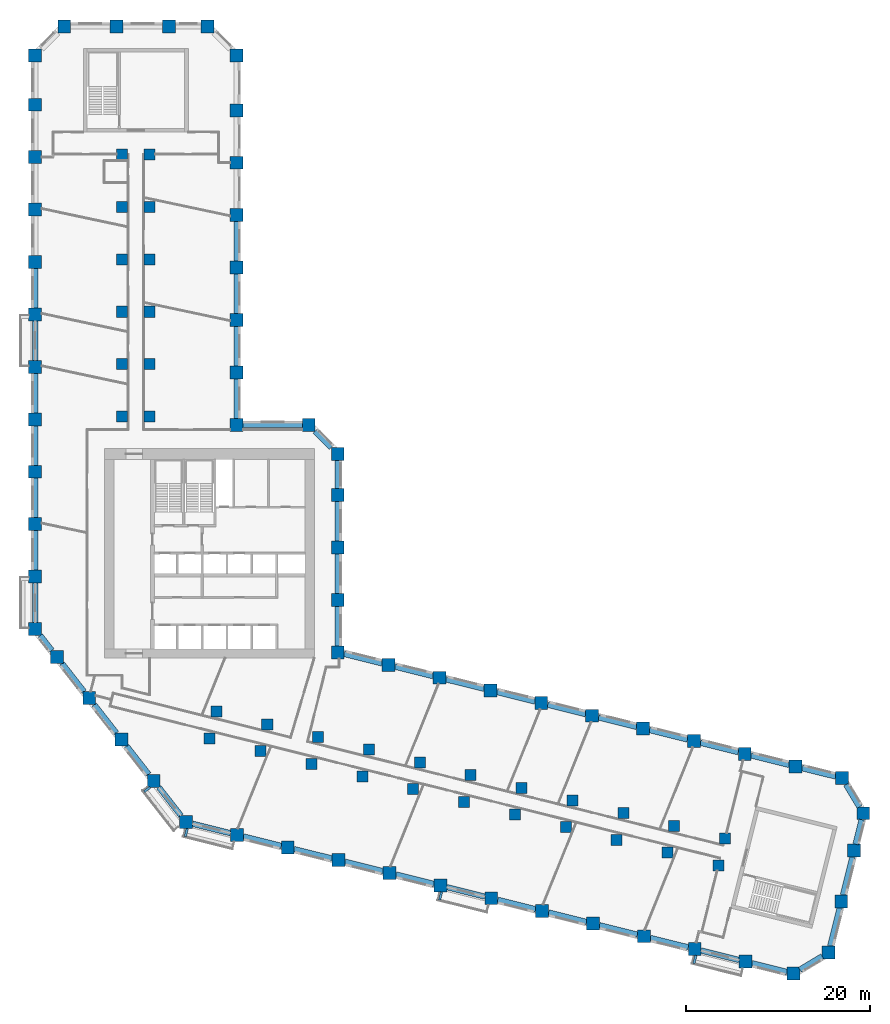
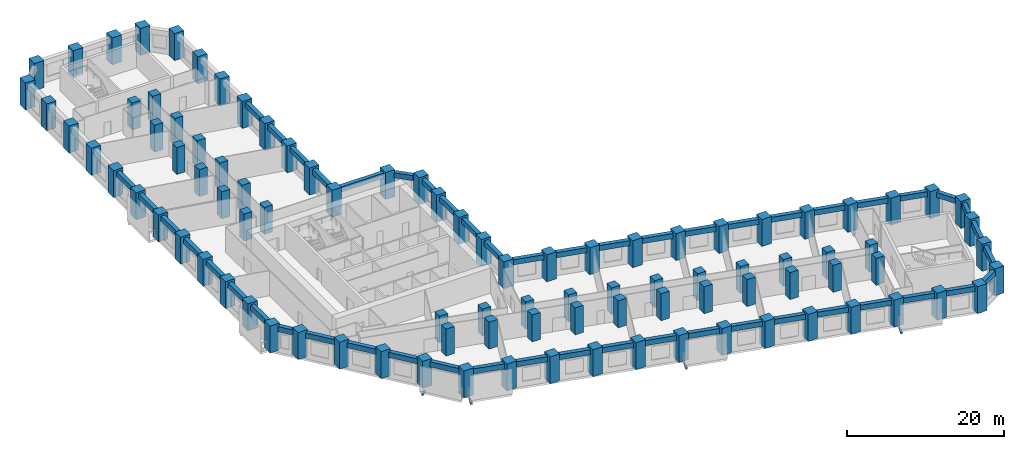
# One storey, part 1 of 11: 95 columns, 53 beams.
"""IFC4 building model written with IfcOpenShell, lengths in metres."""

from ifc_helpers import new_model, si_unit, direction, frame, origin, origin_2d, place, context, subcontext, project, spatial, rectangle, extrude, material, material_profile, profile_set, type_object, element, save


model = new_model("IFC4")

# Units and contexts
model_context = context("Model", 3, precision=1e-05, world=origin(), true_north=direction((0.0, 1.0)))
body_context = subcontext(model_context, "Body", "Model", "MODEL_VIEW")
ifc_project = project(units=[si_unit("LENGTHUNIT", "METRE"), si_unit("AREAUNIT", "SQUARE_METRE"), si_unit("VOLUMEUNIT", "CUBIC_METRE"), si_unit("PLANEANGLEUNIT", "RADIAN"), si_unit("MASSUNIT", "GRAM", prefix="KILO")], contexts=[model_context])

# Site, building, storey
site_placement = place(None, origin())
site = spatial("IfcSite", under=ifc_project, at=site_placement, CompositionType="ELEMENT")
building_placement = place(site_placement, origin())
building = spatial("IfcBuilding", under=site, at=building_placement, Name="Meshkara Civic Tower", CompositionType="ELEMENT")
storey_placement = place(building_placement, frame((0.0, 0.0, 41.39990234375)))
storey = spatial("IfcBuildingStorey", under=building, at=storey_placement, Name="L08", CompositionType="ELEMENT", Elevation=41.39990234375)

# Columns
ifc_material_1 = material(Name="Concrete C80", Category="concrete")
ifc_material_profile_1 = material_profile(ifc_material_1, rectangle(XDim=1.199951171875, YDim=1.199951171875, at=origin_2d()))
ifc_profile_set_1 = profile_set([ifc_material_profile_1], Name="Concrete C80")
column_type_1 = type_object("IfcColumnType", Name="Interior column RC 1200x1200 C80", PredefinedType="COLUMN", material=ifc_profile_set_1)
for number, where, z_axis, x_axis, name in (
    (1, (9.89990234375, 40.35009765625, 0.0), (0.0, 0.0, 1.0), (1.0, 0.0, 0.0), "Column SA1-04 L08"),
    (2, (9.89990234375, 46.050048828125, 0.0), (0.0, 0.0, 1.0), (1.0, 0.0, 0.0), "Column SA1-05 L08"),
    (3, (9.89990234375, 51.75, 0.0), (0.0, 0.0, 1.0), (1.0, 0.0, 0.0), "Column SA1-06 L08"),
    (4, (9.89990234375, 57.449951171875, 0.0), (0.0, 0.0, 1.0), (1.0, 0.0, 0.0), "Column SA1-07 L08"),
    (5, (9.89990234375, 63.14990234375, 0.0), (0.0, 0.0, 1.0), (1.0, 0.0, 0.0), "Column SA1-08 L08"),
    (6, (9.89990234375, 68.85009765625, 0.0), (0.0, 0.0, 1.0), (1.0, 0.0, 0.0), "Column SA1-09 L08"),
    (7, (12.89990234375, 40.35009765625, 0.0), (0.0, 0.0, 1.0), (1.0, 0.0, 0.0), "Column SA2-04 L08"),
    (8, (12.89990234375, 46.050048828125, 0.0), (0.0, 0.0, 1.0), (1.0, 0.0, 0.0), "Column SA2-05 L08"),
    (9, (12.89990234375, 51.75, 0.0), (0.0, 0.0, 1.0), (1.0, 0.0, 0.0), "Column SA2-06 L08"),
    (10, (12.89990234375, 57.449951171875, 0.0), (0.0, 0.0, 1.0), (1.0, 0.0, 0.0), "Column SA2-07 L08"),
    (11, (12.89990234375, 63.14990234375, 0.0), (0.0, 0.0, 1.0), (1.0, 0.0, 0.0), "Column SA2-08 L08"),
    (12, (12.89990234375, 68.85009765625, 0.0), (0.0, 0.0, 1.0), (1.0, 0.0, 0.0), "Column SA2-09 L08"),
    (13, (19.424072265625, 5.360107421875, 0.0), (0.0, 0.0, 1.0), (1.0, 0.0, 0.0), "Column SB1-00 L08"),
    (14, (24.9541015625, 3.98095703125, 0.0), (0.0, 0.0, 1.0), (1.0, 0.0, 0.0), "Column SB1-01 L08"),
    (15, (30.485107421875, 2.60205078125, 0.0), (0.0, 0.0, 1.0), (1.0, 0.0, 0.0), "Column SB1-02 L08"),
    (16, (36.01611328125, 1.222900390625, 0.0), (0.0, 0.0, 1.0), (1.0, 0.0, 0.0), "Column SB1-03 L08"),
    (17, (41.5458984375, -0.156005859375, 0.0), (0.0, 0.0, 1.0), (1.0, 0.0, 0.0), "Column SB1-04 L08"),
    (18, (47.076904296875, -1.534912109375, 0.0), (0.0, 0.0, 1.0), (1.0, 0.0, 0.0), "Column SB1-05 L08"),
    (19, (52.60791015625, -2.9140625, 0.0), (0.0, 0.0, 1.0), (1.0, 0.0, 0.0), "Column SB1-06 L08"),
    (20, (58.138916015625, -4.2919921875, 0.0), (0.0, 0.0, 1.0), (1.0, 0.0, 0.0), "Column SB1-07 L08"),
    (21, (63.6689453125, -5.6708984375, 0.0), (0.0, 0.0, 1.0), (1.0, 0.0, 0.0), "Column SB1-08 L08"),
    (22, (69.199951171875, -7.050048828125, 0.0), (0.0, 0.0, 1.0), (1.0, 0.0, 0.0), "Column SB1-09 L08"),
    (23, (74.73095703125, -8.428955078125, 0.0), (0.0, 0.0, 1.0), (1.0, 0.0, 0.0), "Column SB1-10 L08"),
    (24, (20.14892578125, 8.27099609375, 0.0), (0.0, 0.0, 1.0), (1.0, 0.0, 0.0), "Column SB2-00 L08"),
    (25, (25.679931640625, 6.89208984375, 0.0), (0.0, 0.0, 1.0), (1.0, 0.0, 0.0), "Column SB2-01 L08"),
    (26, (31.2109375, 5.512939453125, 0.0), (0.0, 0.0, 1.0), (1.0, 0.0, 0.0), "Column SB2-02 L08"),
    (27, (36.741943359375, 4.134033203125, 0.0), (0.0, 0.0, 1.0), (1.0, 0.0, 0.0), "Column SB2-03 L08"),
    (28, (42.27197265625, 2.7548828125, 0.0), (0.0, 0.0, 1.0), (1.0, 0.0, 0.0), "Column SB2-04 L08"),
    (29, (47.802978515625, 1.3759765625, 0.0), (0.0, 0.0, 1.0), (1.0, 0.0, 0.0), "Column SB2-05 L08"),
    (30, (53.333984375, -0.0029296875, 0.0), (0.0, 0.0, 1.0), (1.0, 0.0, 0.0), "Column SB2-06 L08"),
    (31, (58.864013671875, -1.382080078125, 0.0), (0.0, 0.0, 1.0), (1.0, 0.0, 0.0), "Column SB2-07 L08"),
    (32, (64.39501953125, -2.760986328125, 0.0), (0.0, 0.0, 1.0), (1.0, 0.0, 0.0), "Column SB2-08 L08"),
    (33, (69.926025390625, -4.139892578125, 0.0), (0.0, 0.0, 1.0), (1.0, 0.0, 0.0), "Column SB2-09 L08"),
    (34, (75.4560546875, -5.51806640625, 0.0), (0.0, 0.0, 1.0), (1.0, 0.0, 0.0), "Column SB2-10 L08"),
):
    element("IfcColumn", number, at=place(storey_placement, frame(where, z_axis=z_axis, x_axis=x_axis)), inside=storey, type_object=column_type_1, Name=name, PredefinedType="COLUMN", context=body_context, shape_type="SweptSolid", body=[
        extrude(rectangle(XDim=1.199951171875, YDim=1.199951171875, at=origin_2d()), origin(), (0.0, 0.0, 1.0), 4.2001953125),
    ])
ifc_material_2 = material(Name="Concrete C80", Category="concrete")
ifc_material_profile_2 = material_profile(ifc_material_2, rectangle(XDim=1.39990234375, YDim=1.39990234375, at=origin_2d()))
ifc_profile_set_2 = profile_set([ifc_material_profile_2], Name="Concrete C80")
column_type_2 = type_object("IfcColumnType", Name="Perimeter column RC 1400x1400 C80", PredefinedType="COLUMN", material=ifc_profile_set_2)
for number, where, z_axis, x_axis, name in (
    (35, (33.35009765625, 14.718994140625, 0.0), (0.0, 0.0, 1.0), (1.0, 0.0, 0.0), "Column HE00 L08"),
    (36, (33.35009765625, 20.4189453125, 0.0), (0.0, 0.0, 1.0), (1.0, 0.0, 0.0), "Column HE01 L08"),
    (37, (33.35009765625, 26.118896484375, 0.0), (0.0, 0.0, 1.0), (1.0, 0.0, 0.0), "Column HE02 L08"),
    (38, (33.35009765625, 31.819091796875, 0.0), (0.0, 0.0, 1.0), (1.0, 0.0, 0.0), "Column HE03 L08"),
    (39, (33.35009765625, 36.2939453125, 0.0), (0.0, 0.0, 1.0), (1.0, 0.0, 0.0), "Column HEE L08"),
    (40, (30.194091796875, 39.449951171875, 0.0), (0.0, 0.0, 1.0), (1.0, 0.0, 0.0), "Column HCeE L08"),
    (41, (22.35009765625, 39.449951171875, 0.0), (0.0, 0.0, 1.0), (1.0, 0.0, 0.0), "Column HN00 L08"),
    (42, (22.35009765625, 45.14990234375, 0.0), (0.0, 0.0, 1.0), (1.0, 0.0, 0.0), "Column AE01 L08"),
    (43, (22.35009765625, 50.85009765625, 0.0), (0.0, 0.0, 1.0), (1.0, 0.0, 0.0), "Column AE02 L08"),
    (44, (22.35009765625, 56.550048828125, 0.0), (0.0, 0.0, 1.0), (1.0, 0.0, 0.0), "Column AE03 L08"),
    (45, (22.35009765625, 62.25, 0.0), (0.0, 0.0, 1.0), (1.0, 0.0, 0.0), "Column AE04 L08"),
    (46, (22.35009765625, 67.949951171875, 0.0), (0.0, 0.0, 1.0), (1.0, 0.0, 0.0), "Column AE05 L08"),
    (47, (22.35009765625, 73.64990234375, 0.0), (0.0, 0.0, 1.0), (1.0, 0.0, 0.0), "Column AE06 L08"),
    (48, (22.35009765625, 79.614013671875, 0.0), (0.0, 0.0, 1.0), (1.0, 0.0, 0.0), "Column AEE L08"),
    (49, (19.194091796875, 82.77001953125, 0.0), (0.0, 0.0, 1.0), (1.0, 0.0, 0.0), "Column ATiE L08"),
    (50, (3.60595703125, 82.77001953125, 0.0), (0.0, 0.0, 1.0), (1.0, 0.0, 0.0), "Column AT00 L08"),
    (51, (9.305908203125, 82.77001953125, 0.0), (0.0, 0.0, 1.0), (1.0, 0.0, 0.0), "Column AT01 L08"),
    (52, (15.006103515625, 82.77001953125, 0.0), (0.0, 0.0, 1.0), (1.0, 0.0, 0.0), "Column AT02 L08"),
    (53, (0.449951171875, 79.614013671875, 0.0), (0.0, 0.0, 1.0), (1.0, 0.0, 0.0), "Column ATo00 L08"),
    (54, (0.449951171875, 17.2548828125, 0.0), (0.0, 0.0, 1.0), (1.0, 0.0, 0.0), "Column AW00 L08"),
    (55, (0.449951171875, 22.955078125, 0.0), (0.0, 0.0, 1.0), (1.0, 0.0, 0.0), "Column AW01 L08"),
    (56, (0.449951171875, 28.655029296875, 0.0), (0.0, 0.0, 1.0), (1.0, 0.0, 0.0), "Column AW02 L08"),
    (57, (0.449951171875, 34.35498046875, 0.0), (0.0, 0.0, 1.0), (1.0, 0.0, 0.0), "Column AW03 L08"),
    (58, (0.449951171875, 40.054931640625, 0.0), (0.0, 0.0, 1.0), (1.0, 0.0, 0.0), "Column AW04 L08"),
    (59, (0.449951171875, 45.7548828125, 0.0), (0.0, 0.0, 1.0), (1.0, 0.0, 0.0), "Column AW05 L08"),
    (60, (0.449951171875, 51.455078125, 0.0), (0.0, 0.0, 1.0), (1.0, 0.0, 0.0), "Column AW06 L08"),
    (61, (0.449951171875, 57.155029296875, 0.0), (0.0, 0.0, 1.0), (1.0, 0.0, 0.0), "Column AW07 L08"),
    (62, (0.449951171875, 62.85498046875, 0.0), (0.0, 0.0, 1.0), (1.0, 0.0, 0.0), "Column AW08 L08"),
    (63, (0.449951171875, 68.554931640625, 0.0), (0.0, 0.0, 1.0), (1.0, 0.0, 0.0), "Column AW09 L08"),
    (64, (0.449951171875, 74.2548828125, 0.0), (0.0, 0.0, 1.0), (1.0, 0.0, 0.0), "Column AW10 L08"),
    (65, (16.85107421875, -3.738037109375, 0.0), (0.0, 0.0, 1.0), (1.0, 0.0, 0.0), "Column BOW00 L08"),
    (66, (13.342041015625, 0.75390625, 0.0), (0.0, 0.0, 1.0), (1.0, 0.0, 0.0), "Column BOW01 L08"),
    (67, (9.8330078125, 5.2451171875, 0.0), (0.0, 0.0, 1.0), (1.0, 0.0, 0.0), "Column BOW02 L08"),
    (68, (6.322998046875, 9.737060546875, 0.0), (0.0, 0.0, 1.0), (1.0, 0.0, 0.0), "Column BOW03 L08"),
    (69, (2.81396484375, 14.22900390625, 0.0), (0.0, 0.0, 1.0), (1.0, 0.0, 0.0), "Column BOW04 L08"),
    (70, (22.382080078125, -5.116943359375, 0.0), (0.0, 0.0, 1.0), (1.0, 0.0, 0.0), "Column BS01 L08"),
    (71, (27.912109375, -6.49609375, 0.0), (0.0, 0.0, 1.0), (1.0, 0.0, 0.0), "Column BS02 L08"),
    (72, (33.443115234375, -7.875, 0.0), (0.0, 0.0, 1.0), (1.0, 0.0, 0.0), "Column BS03 L08"),
    (73, (38.97412109375, -9.25390625, 0.0), (0.0, 0.0, 1.0), (1.0, 0.0, 0.0), "Column BS04 L08"),
    (74, (44.5048828125, -10.632080078125, 0.0), (0.0, 0.0, 1.0), (1.0, 0.0, 0.0), "Column BS05 L08"),
    (75, (50.034912109375, -12.010986328125, 0.0), (0.0, 0.0, 1.0), (1.0, 0.0, 0.0), "Column BS06 L08"),
    (76, (55.56591796875, -13.389892578125, 0.0), (0.0, 0.0, 1.0), (1.0, 0.0, 0.0), "Column BS07 L08"),
    (77, (61.096923828125, -14.76904296875, 0.0), (0.0, 0.0, 1.0), (1.0, 0.0, 0.0), "Column BS08 L08"),
    (78, (66.626953125, -16.14794921875, 0.0), (0.0, 0.0, 1.0), (1.0, 0.0, 0.0), "Column BS09 L08"),
    (79, (72.157958984375, -17.527099609375, 0.0), (0.0, 0.0, 1.0), (1.0, 0.0, 0.0), "Column BS10 L08"),
    (80, (77.68896484375, -18.906005859375, 0.0), (0.0, 0.0, 1.0), (1.0, 0.0, 0.0), "Column BS11 L08"),
    (81, (82.887939453125, -20.201904296875, 0.0), (0.0, 0.0, 1.0), (1.0, 0.0, 0.0), "Column BSE L08"),
    (82, (86.714111328125, -17.903076171875, 0.0), (0.0, 0.0, 1.0), (1.0, 0.0, 0.0), "Column BToE L08"),
    (83, (88.093017578125, -12.3720703125, 0.0), (0.0, 0.0, 1.0), (1.0, 0.0, 0.0), "Column BT01 L08"),
    (84, (89.471923828125, -6.842041015625, 0.0), (0.0, 0.0, 1.0), (1.0, 0.0, 0.0), "Column BT02 L08"),
    (85, (90.485107421875, -2.779052734375, 0.0), (0.0, 0.0, 1.0), (1.0, 0.0, 0.0), "Column BTE L08"),
    (86, (88.18603515625, 1.0458984375, 0.0), (0.0, 0.0, 1.0), (1.0, 0.0, 0.0), "Column BTi00 L08"),
    (87, (38.881103515625, 13.340087890625, 0.0), (0.0, 0.0, 1.0), (1.0, 0.0, 0.0), "Column BN01 L08"),
    (88, (44.410888671875, 11.9609375, 0.0), (0.0, 0.0, 1.0), (1.0, 0.0, 0.0), "Column BN02 L08"),
    (89, (49.94189453125, 10.58203125, 0.0), (0.0, 0.0, 1.0), (1.0, 0.0, 0.0), "Column BN03 L08"),
    (90, (55.472900390625, 9.202880859375, 0.0), (0.0, 0.0, 1.0), (1.0, 0.0, 0.0), "Column BN04 L08"),
    (91, (61.0029296875, 7.823974609375, 0.0), (0.0, 0.0, 1.0), (1.0, 0.0, 0.0), "Column BN05 L08"),
    (92, (66.533935546875, 6.445068359375, 0.0), (0.0, 0.0, 1.0), (1.0, 0.0, 0.0), "Column BN06 L08"),
    (93, (72.06494140625, 5.06591796875, 0.0), (0.0, 0.0, 1.0), (1.0, 0.0, 0.0), "Column BN07 L08"),
    (94, (77.594970703125, 3.68701171875, 0.0), (0.0, 0.0, 1.0), (1.0, 0.0, 0.0), "Column BN08 L08"),
    (95, (83.1259765625, 2.30810546875, 0.0), (0.0, 0.0, 1.0), (1.0, 0.0, 0.0), "Column BN09 L08"),
):
    element("IfcColumn", number, at=place(storey_placement, frame(where, z_axis=z_axis, x_axis=x_axis)), inside=storey, type_object=column_type_2, Name=name, PredefinedType="COLUMN", context=body_context, shape_type="SweptSolid", body=[
        extrude(rectangle(XDim=1.39990234375, YDim=1.39990234375, at=origin_2d()), origin(), (0.0, 0.0, 1.0), 4.2001953125),
    ])

# Beams
ifc_material_3 = material(Name="Concrete C50", Category="concrete")
ifc_material_profile_3 = material_profile(ifc_material_3, rectangle(XDim=0.25, YDim=0.39990234375, at=origin_2d()))
ifc_profile_set_3 = profile_set([ifc_material_profile_3], Name="Concrete C50")
beam_type_1 = type_object("IfcBeamType", Name="Balcony bracket beam RC 250x400 C50", PredefinedType="BEAM", material=ifc_profile_set_3)
beam_1_placement = place(storey_placement, frame((12.93701171875, 0.056884765625, -0.5), z_axis=(-0.787973614547, -0.615709008199, 0.0), x_axis=(0.615709008199, -0.787973614547, 0.0)))
element("IfcBeam", 96, at=beam_1_placement, inside=storey, type_object=beam_type_1, Name="Balcony bracket beam", PredefinedType="BEAM", context=body_context, shape_type="SweptSolid", body=[
    extrude(rectangle(XDim=0.25, YDim=0.39990234375, at=origin_2d()), origin(), (0.0, 0.0, 1.0), 0.80224609375),
])
beam_2_placement = place(storey_placement, frame((16.987060546875, -4.43310546875, -0.5), z_axis=(-0.242282530638, -0.97020573867, 0.0), x_axis=(0.97020573867, -0.242282530638, 0.0)))
element("IfcBeam", 97, at=beam_2_placement, inside=storey, type_object=beam_type_1, Name="Balcony bracket beam", PredefinedType="BEAM", context=body_context, shape_type="SweptSolid", body=[
    extrude(rectangle(XDim=0.25, YDim=0.39990234375, at=origin_2d()), origin(), (0.0, 0.0, 1.0), 0.907958984375),
])
for number, where, z_axis, x_axis, name in (
    (98, (44.64111328125, -11.326904296875, -0.5), (-0.24221968719, -0.970221429952, 0.0), (0.970221429952, -0.24221968719, 0.0), "Balcony bracket beam"),
    (99, (72.2939453125, -18.221923828125, -0.5), (-0.241966881417, -0.970284508944, 0.0), (0.970284508944, -0.241966881417, 0.0), "Balcony bracket beam"),
):
    element("IfcBeam", number, at=place(storey_placement, frame(where, z_axis=z_axis, x_axis=x_axis)), inside=storey, type_object=beam_type_1, Name=name, PredefinedType="BEAM", context=body_context, shape_type="SweptSolid", body=[
        extrude(rectangle(XDim=0.25, YDim=0.39990234375, at=origin_2d()), origin(), (0.0, 0.0, 1.0), 0.9091796875),
    ])
ifc_material_4 = material(Name="Concrete C70", Category="concrete")
ifc_material_profile_4 = material_profile(ifc_material_4, rectangle(XDim=0.60009765625, YDim=0.800048828125, at=origin_2d()))
ifc_profile_set_4 = profile_set([ifc_material_profile_4], Name="Concrete C70")
beam_type_2 = type_object("IfcBeamType", Name="Spandrel beam RC 600x800 C70", PredefinedType="BEAM", material=ifc_profile_set_4)
beam_3_placement = place(storey_placement, frame((82.430908203125, 2.481201171875, 3.5), z_axis=(-0.97029374225, 0.241929852955, 0.0), x_axis=(-0.241929852955, -0.97029374225, 0.0)))
element("IfcBeam", 100, at=beam_3_placement, inside=storey, type_object=beam_type_2, Name="Spandrel beam BN08-BN09", PredefinedType="BEAM", context=body_context, shape_type="SweptSolid", body=[
    extrude(rectangle(XDim=0.60009765625, YDim=0.800048828125, at=origin_2d()), origin(), (0.0, 0.0, 1.0), 4.267578125),
])
beam_4_placement = place(storey_placement, frame((76.89990234375, 3.8603515625, 3.5), z_axis=(-0.970293777887, 0.241929710026, 0.0), x_axis=(-0.241929710026, -0.970293777887, 0.0)))
element("IfcBeam", 101, at=beam_4_placement, inside=storey, type_object=beam_type_2, Name="Spandrel beam BN07-BN08", PredefinedType="BEAM", context=body_context, shape_type="SweptSolid", body=[
    extrude(rectangle(XDim=0.60009765625, YDim=0.800048828125, at=origin_2d()), origin(), (0.0, 0.0, 1.0), 4.2666015625),
])
for number, where, z_axis, x_axis, name in (
    (102, (71.369873046875, 5.2392578125, 3.5), (-0.97029374225, 0.241929852955, 0.0), (-0.241929852955, -0.97029374225, 0.0), "Spandrel beam BN06-BN07"),
    (103, (65.8388671875, 6.618408203125, 3.5), (-0.970307169965, 0.241875992843, 0.0), (-0.241875992843, -0.970307169965, 0.0), "Spandrel beam BN05-BN06"),
):
    element("IfcBeam", number, at=place(storey_placement, frame(where, z_axis=z_axis, x_axis=x_axis)), inside=storey, type_object=beam_type_2, Name=name, PredefinedType="BEAM", context=body_context, shape_type="SweptSolid", body=[
        extrude(rectangle(XDim=0.60009765625, YDim=0.800048828125, at=origin_2d()), origin(), (0.0, 0.0, 1.0), 4.267578125),
    ])
beam_5_placement = place(storey_placement, frame((60.307861328125, 7.997314453125, 3.5), z_axis=(-0.970276993533, 0.241997016139, 0.0), x_axis=(-0.241997016139, -0.970276993533, 0.0)))
element("IfcBeam", 104, at=beam_5_placement, inside=storey, type_object=beam_type_2, Name="Spandrel beam BN04-BN05", PredefinedType="BEAM", context=body_context, shape_type="SweptSolid", body=[
    extrude(rectangle(XDim=0.60009765625, YDim=0.800048828125, at=origin_2d()), origin(), (0.0, 0.0, 1.0), 4.266357421875),
])
for number, where, z_axis, x_axis, name in (
    (105, (54.77783203125, 9.376220703125, 3.5), (-0.970290393622, 0.241943282702, 0.0), (-0.241943282702, -0.970290393622, 0.0), "Spandrel beam BN03-BN04"),
    (106, (49.246826171875, 10.75537109375, 3.5), (-0.970303822782, 0.241889419972, 0.0), (-0.241889419972, -0.970303822782, 0.0), "Spandrel beam BN02-BN03"),
):
    element("IfcBeam", number, at=place(storey_placement, frame(where, z_axis=z_axis, x_axis=x_axis)), inside=storey, type_object=beam_type_2, Name=name, PredefinedType="BEAM", context=body_context, shape_type="SweptSolid", body=[
        extrude(rectangle(XDim=0.60009765625, YDim=0.800048828125, at=origin_2d()), origin(), (0.0, 0.0, 1.0), 4.267333984375),
    ])
beam_6_placement = place(storey_placement, frame((43.7158203125, 12.13427734375, 3.5), z_axis=(-0.970276993533, 0.241997016139, 0.0), x_axis=(-0.241997016139, -0.970276993533, 0.0)))
element("IfcBeam", 107, at=beam_6_placement, inside=storey, type_object=beam_type_2, Name="Spandrel beam BN01-BN02", PredefinedType="BEAM", context=body_context, shape_type="SweptSolid", body=[
    extrude(rectangle(XDim=0.60009765625, YDim=0.800048828125, at=origin_2d()), origin(), (0.0, 0.0, 1.0), 4.266357421875),
])
beam_7_placement = place(storey_placement, frame((38.185791015625, 13.51318359375, 3.5), z_axis=(-0.970290393622, 0.241943282702, 0.0), x_axis=(-0.241943282702, -0.970290393622, 0.0)))
element("IfcBeam", 108, at=beam_7_placement, inside=storey, type_object=beam_type_2, Name="Spandrel beam BN01-HE00", PredefinedType="BEAM", context=body_context, shape_type="SweptSolid", body=[
    extrude(rectangle(XDim=0.60009765625, YDim=0.800048828125, at=origin_2d()), origin(), (0.0, 0.0, 1.0), 4.267333984375),
])
for number, where, z_axis, x_axis, name in (
    (109, (33.35009765625, 15.4140625, 3.5), (0.0, 1.0, 0.0), (-1.0, 0.0, 0.0), "Spandrel beam HE00-HE01"),
    (110, (33.35009765625, 21.114013671875, 3.5), (0.0, 1.0, 0.0), (-1.0, 0.0, 0.0), "Spandrel beam HE01-HE02"),
    (111, (33.35009765625, 26.81396484375, 3.5), (0.0, 1.0, 0.0), (-1.0, 0.0, 0.0), "Spandrel beam HE02-HE03"),
):
    element("IfcBeam", number, at=place(storey_placement, frame(where, z_axis=z_axis, x_axis=x_axis)), inside=storey, type_object=beam_type_2, Name=name, PredefinedType="BEAM", context=body_context, shape_type="SweptSolid", body=[
        extrude(rectangle(XDim=0.60009765625, YDim=0.800048828125, at=origin_2d()), origin(), (0.0, 0.0, 1.0), 4.31005859375),
    ])
beam_8_placement = place(storey_placement, frame((33.35009765625, 32.513916015625, 3.5), z_axis=(0.0, 1.0, 0.0), x_axis=(-1.0, 0.0, 0.0)))
element("IfcBeam", 112, at=beam_8_placement, inside=storey, type_object=beam_type_2, Name="Spandrel beam HE03-HEE", PredefinedType="BEAM", context=body_context, shape_type="SweptSolid", body=[
    extrude(rectangle(XDim=0.60009765625, YDim=0.800048828125, at=origin_2d()), origin(), (0.0, 0.0, 1.0), 3.085205078125),
])
beam_9_placement = place(storey_placement, frame((32.653564453125, 36.990478515625, 3.5), z_axis=(-0.707155737934, 0.70705782105, 0.0), x_axis=(-0.70705782105, -0.707155737934, 0.0)))
element("IfcBeam", 113, at=beam_9_placement, inside=storey, type_object=beam_type_2, Name="Spandrel beam HCeE-HEE", PredefinedType="BEAM", context=body_context, shape_type="SweptSolid", body=[
    extrude(rectangle(XDim=0.60009765625, YDim=0.800048828125, at=origin_2d()), origin(), (0.0, 0.0, 1.0), 2.493408203125),
])
beam_10_placement = place(storey_placement, frame((29.4990234375, 39.449951171875, 3.5), z_axis=(-1.0, 0.0, 0.0), x_axis=(0.0, -1.0, 0.0)))
element("IfcBeam", 114, at=beam_10_placement, inside=storey, type_object=beam_type_2, Name="Spandrel beam HCeE-HN00", PredefinedType="BEAM", context=body_context, shape_type="SweptSolid", body=[
    extrude(rectangle(XDim=0.60009765625, YDim=0.800048828125, at=origin_2d()), origin(), (0.0, 0.0, 1.0), 6.4541015625),
])
for number, where, z_axis, x_axis, name in (
    (115, (22.35009765625, 40.14501953125, 3.5), (0.0, 1.0, 0.0), (-1.0, 0.0, 0.0), "Spandrel beam AE01-HN00"),
    (116, (22.35009765625, 45.844970703125, 3.5), (0.0, 1.0, 0.0), (-1.0, 0.0, 0.0), "Spandrel beam AE01-AE02"),
    (117, (22.35009765625, 51.544921875, 3.5), (0.0, 1.0, 0.0), (-1.0, 0.0, 0.0), "Spandrel beam AE02-AE03"),
):
    element("IfcBeam", number, at=place(storey_placement, frame(where, z_axis=z_axis, x_axis=x_axis)), inside=storey, type_object=beam_type_2, Name=name, PredefinedType="BEAM", context=body_context, shape_type="SweptSolid", body=[
        extrude(rectangle(XDim=0.60009765625, YDim=0.800048828125, at=origin_2d()), origin(), (0.0, 0.0, 1.0), 4.31005859375),
    ])
beam_11_placement = place(storey_placement, frame((22.35009765625, 57.2451171875, 3.5), z_axis=(0.0, 1.0, 0.0), x_axis=(-1.0, 0.0, 0.0)))
element("IfcBeam", 118, at=beam_11_placement, inside=storey, type_object=beam_type_2, Name="Spandrel beam AE03-AE04", PredefinedType="BEAM", context=body_context, shape_type="SweptSolid", body=[
    extrude(rectangle(XDim=0.60009765625, YDim=0.800048828125, at=origin_2d()), origin(), (0.0, 0.0, 1.0), 4.309814453125),
])
for number, where, z_axis, x_axis, name in (
    (119, (0.449951171875, 56.4599609375, 3.5), (0.0, -1.0, 0.0), (1.0, 0.0, 0.0), "Spandrel beam AW06-AW07"),
    (120, (0.449951171875, 50.760009765625, 3.5), (0.0, -1.0, 0.0), (1.0, 0.0, 0.0), "Spandrel beam AW05-AW06"),
    (121, (0.449951171875, 45.06005859375, 3.5), (0.0, -1.0, 0.0), (1.0, 0.0, 0.0), "Spandrel beam AW04-AW05"),
    (122, (0.449951171875, 39.360107421875, 3.5), (0.0, -1.0, 0.0), (1.0, 0.0, 0.0), "Spandrel beam AW03-AW04"),
):
    element("IfcBeam", number, at=place(storey_placement, frame(where, z_axis=z_axis, x_axis=x_axis)), inside=storey, type_object=beam_type_2, Name=name, PredefinedType="BEAM", context=body_context, shape_type="SweptSolid", body=[
        extrude(rectangle(XDim=0.60009765625, YDim=0.800048828125, at=origin_2d()), origin(), (0.0, 0.0, 1.0), 4.31005859375),
    ])
beam_12_placement = place(storey_placement, frame((0.449951171875, 33.659912109375, 3.5), z_axis=(0.0, -1.0, 0.0), x_axis=(1.0, 0.0, 0.0)))
element("IfcBeam", 123, at=beam_12_placement, inside=storey, type_object=beam_type_2, Name="Spandrel beam AW02-AW03", PredefinedType="BEAM", context=body_context, shape_type="SweptSolid", body=[
    extrude(rectangle(XDim=0.60009765625, YDim=0.800048828125, at=origin_2d()), origin(), (0.0, 0.0, 1.0), 4.309814453125),
])
for number, where, z_axis, x_axis, name in (
    (124, (0.449951171875, 27.9599609375, 3.5), (0.0, -1.0, 0.0), (1.0, 0.0, 0.0), "Spandrel beam AW01-AW02"),
    (125, (0.449951171875, 22.260009765625, 3.5), (0.0, -1.0, 0.0), (1.0, 0.0, 0.0), "Spandrel beam AW00-AW01"),
):
    element("IfcBeam", number, at=place(storey_placement, frame(where, z_axis=z_axis, x_axis=x_axis)), inside=storey, type_object=beam_type_2, Name=name, PredefinedType="BEAM", context=body_context, shape_type="SweptSolid", body=[
        extrude(rectangle(XDim=0.60009765625, YDim=0.800048828125, at=origin_2d()), origin(), (0.0, 0.0, 1.0), 4.31005859375),
    ])
beam_13_placement = place(storey_placement, frame((0.993896484375, 16.558837890625, 3.5), z_axis=(0.615634901283, -0.788031514803, 0.0), x_axis=(0.788031514803, 0.615634901283, 0.0)))
element("IfcBeam", 126, at=beam_13_placement, inside=storey, type_object=beam_type_2, Name="Spandrel beam AW00-BOW04", PredefinedType="BEAM", context=body_context, shape_type="SweptSolid", body=[
    extrude(rectangle(XDim=0.60009765625, YDim=0.800048828125, at=origin_2d()), origin(), (0.0, 0.0, 1.0), 2.0732421875),
])
beam_14_placement = place(storey_placement, frame((3.357666015625, 13.532958984375, 3.5), z_axis=(0.615623566685, -0.788040369614, 0.0), x_axis=(0.788040369614, 0.615623566685, 0.0)))
element("IfcBeam", 127, at=beam_14_placement, inside=storey, type_object=beam_type_2, Name="Spandrel beam BOW03-BOW04", PredefinedType="BEAM", context=body_context, shape_type="SweptSolid", body=[
    extrude(rectangle(XDim=0.60009765625, YDim=0.800048828125, at=origin_2d()), origin(), (0.0, 0.0, 1.0), 3.93359375),
])
beam_15_placement = place(storey_placement, frame((6.866943359375, 9.041015625, 3.5), z_axis=(0.61570064363, -0.787980150406, 0.0), x_axis=(0.787980150406, 0.61570064363, 0.0)))
element("IfcBeam", 128, at=beam_15_placement, inside=storey, type_object=beam_type_2, Name="Spandrel beam BOW02-BOW03", PredefinedType="BEAM", context=body_context, shape_type="SweptSolid", body=[
    extrude(rectangle(XDim=0.60009765625, YDim=0.800048828125, at=origin_2d()), origin(), (0.0, 0.0, 1.0), 3.933837890625),
])
beam_16_placement = place(storey_placement, frame((10.376953125, 4.548828125, 3.5), z_axis=(0.615697051917, -0.787982956834, 0.0), x_axis=(0.787982956834, 0.615697051917, 0.0)))
element("IfcBeam", 129, at=beam_16_placement, inside=storey, type_object=beam_type_2, Name="Spandrel beam BOW01-BOW02", PredefinedType="BEAM", context=body_context, shape_type="SweptSolid", body=[
    extrude(rectangle(XDim=0.60009765625, YDim=0.800048828125, at=origin_2d()), origin(), (0.0, 0.0, 1.0), 3.932373046875),
])
beam_17_placement = place(storey_placement, frame((13.8857421875, 0.057861328125, 3.5), z_axis=(0.615623566685, -0.788040369614, 0.0), x_axis=(0.788040369614, 0.615623566685, 0.0)))
element("IfcBeam", 130, at=beam_17_placement, inside=storey, type_object=beam_type_2, Name="Spandrel beam BOW00-BOW01", PredefinedType="BEAM", context=body_context, shape_type="SweptSolid", body=[
    extrude(rectangle(XDim=0.60009765625, YDim=0.800048828125, at=origin_2d()), origin(), (0.0, 0.0, 1.0), 3.93359375),
])
beam_18_placement = place(storey_placement, frame((17.546142578125, -3.911376953125, 3.5), z_axis=(0.970307169965, -0.241875992843, 0.0), x_axis=(0.241875992843, 0.970307169965, 0.0)))
element("IfcBeam", 131, at=beam_18_placement, inside=storey, type_object=beam_type_2, Name="Spandrel beam BOW00-BS01", PredefinedType="BEAM", context=body_context, shape_type="SweptSolid", body=[
    extrude(rectangle(XDim=0.60009765625, YDim=0.800048828125, at=origin_2d()), origin(), (0.0, 0.0, 1.0), 4.267578125),
])
beam_19_placement = place(storey_placement, frame((23.0771484375, -5.290283203125, 3.5), z_axis=(0.970276993533, -0.241997016139, 0.0), x_axis=(0.241997016139, 0.970276993533, 0.0)))
element("IfcBeam", 132, at=beam_19_placement, inside=storey, type_object=beam_type_2, Name="Spandrel beam BS01-BS02", PredefinedType="BEAM", context=body_context, shape_type="SweptSolid", body=[
    extrude(rectangle(XDim=0.60009765625, YDim=0.800048828125, at=origin_2d()), origin(), (0.0, 0.0, 1.0), 4.266357421875),
])
for number, where, z_axis, x_axis, name in (
    (133, (28.607177734375, -6.669189453125, 3.5), (0.970290393622, -0.241943282702, 0.0), (0.241943282702, 0.970290393622, 0.0), "Spandrel beam BS02-BS03"),
    (134, (34.13818359375, -8.04833984375, 3.5), (0.970290393622, -0.241943282702, 0.0), (0.241943282702, 0.970290393622, 0.0), "Spandrel beam BS03-BS04"),
):
    element("IfcBeam", number, at=place(storey_placement, frame(where, z_axis=z_axis, x_axis=x_axis)), inside=storey, type_object=beam_type_2, Name=name, PredefinedType="BEAM", context=body_context, shape_type="SweptSolid", body=[
        extrude(rectangle(XDim=0.60009765625, YDim=0.800048828125, at=origin_2d()), origin(), (0.0, 0.0, 1.0), 4.267333984375),
    ])
beam_20_placement = place(storey_placement, frame((39.669189453125, -9.42724609375, 3.5), z_axis=(0.97034409455, -0.241727818365, 0.0), x_axis=(0.241727818365, 0.97034409455, 0.0)))
element("IfcBeam", 135, at=beam_20_placement, inside=storey, type_object=beam_type_2, Name="Spandrel beam BS04-BS05", PredefinedType="BEAM", context=body_context, shape_type="SweptSolid", body=[
    extrude(rectangle(XDim=0.60009765625, YDim=0.800048828125, at=origin_2d()), origin(), (0.0, 0.0, 1.0), 4.26708984375),
])
beam_21_placement = place(storey_placement, frame((45.2001953125, -10.805419921875, 3.5), z_axis=(0.970290428474, -0.241943142934, 0.0), x_axis=(0.241943142934, 0.970290428474, 0.0)))
element("IfcBeam", 136, at=beam_21_placement, inside=storey, type_object=beam_type_2, Name="Spandrel beam BS05-BS06", PredefinedType="BEAM", context=body_context, shape_type="SweptSolid", body=[
    extrude(rectangle(XDim=0.60009765625, YDim=0.800048828125, at=origin_2d()), origin(), (0.0, 0.0, 1.0), 4.266357421875),
])
for number, where, z_axis, x_axis, name in (
    (137, (50.72998046875, -12.184326171875, 3.5), (0.97029374225, -0.241929852955, 0.0), (0.241929852955, 0.97029374225, 0.0), "Spandrel beam BS06-BS07"),
    (138, (56.260986328125, -13.563232421875, 3.5), (0.97029374225, -0.241929852955, 0.0), (0.241929852955, 0.97029374225, 0.0), "Spandrel beam BS07-BS08"),
):
    element("IfcBeam", number, at=place(storey_placement, frame(where, z_axis=z_axis, x_axis=x_axis)), inside=storey, type_object=beam_type_2, Name=name, PredefinedType="BEAM", context=body_context, shape_type="SweptSolid", body=[
        extrude(rectangle(XDim=0.60009765625, YDim=0.800048828125, at=origin_2d()), origin(), (0.0, 0.0, 1.0), 4.267578125),
    ])
beam_22_placement = place(storey_placement, frame((61.7919921875, -14.9423828125, 3.5), z_axis=(0.970293777887, -0.241929710026, 0.0), x_axis=(0.241929710026, 0.970293777887, 0.0)))
element("IfcBeam", 139, at=beam_22_placement, inside=storey, type_object=beam_type_2, Name="Spandrel beam BS08-BS09", PredefinedType="BEAM", context=body_context, shape_type="SweptSolid", body=[
    extrude(rectangle(XDim=0.60009765625, YDim=0.800048828125, at=origin_2d()), origin(), (0.0, 0.0, 1.0), 4.2666015625),
])
for number, where, z_axis, x_axis, name in (
    (140, (67.322021484375, -16.3212890625, 3.5), (0.97029374225, -0.241929852955, 0.0), (0.241929852955, 0.97029374225, 0.0), "Spandrel beam BS09-BS10"),
    (141, (72.85302734375, -17.7001953125, 3.5), (0.97029374225, -0.241929852955, 0.0), (0.241929852955, 0.97029374225, 0.0), "Spandrel beam BS10-BS11"),
):
    element("IfcBeam", number, at=place(storey_placement, frame(where, z_axis=z_axis, x_axis=x_axis)), inside=storey, type_object=beam_type_2, Name=name, PredefinedType="BEAM", context=body_context, shape_type="SweptSolid", body=[
        extrude(rectangle(XDim=0.60009765625, YDim=0.800048828125, at=origin_2d()), origin(), (0.0, 0.0, 1.0), 4.267578125),
    ])
beam_23_placement = place(storey_placement, frame((78.384033203125, -19.079345703125, 3.5), z_axis=(0.970306910921, -0.241877032022, 0.0), x_axis=(0.241877032022, 0.970306910921, 0.0)))
element("IfcBeam", 142, at=beam_23_placement, inside=storey, type_object=beam_type_2, Name="Spandrel beam BS11-BSE", PredefinedType="BEAM", context=body_context, shape_type="SweptSolid", body=[
    extrude(rectangle(XDim=0.60009765625, YDim=0.800048828125, at=origin_2d()), origin(), (0.0, 0.0, 1.0), 3.92529296875),
])
beam_24_placement = place(storey_placement, frame((83.583740234375, -19.783935546875, 3.5), z_axis=(0.857159031547, 0.515051836846, 0.0), x_axis=(-0.515051836846, 0.857159031547, 0.0)))
element("IfcBeam", 143, at=beam_24_placement, inside=storey, type_object=beam_type_2, Name="Spandrel beam BSE-BToE", PredefinedType="BEAM", context=body_context, shape_type="SweptSolid", body=[
    extrude(rectangle(XDim=0.60009765625, YDim=0.800048828125, at=origin_2d()), origin(), (0.0, 0.0, 1.0), 2.84033203125),
])
beam_25_placement = place(storey_placement, frame((86.88720703125, -17.2080078125, 3.5), z_axis=(0.241929852955, 0.97029374225, 0.0), x_axis=(-0.97029374225, 0.241929852955, 0.0)))
element("IfcBeam", 144, at=beam_25_placement, inside=storey, type_object=beam_type_2, Name="Spandrel beam BT01-BToE", PredefinedType="BEAM", context=body_context, shape_type="SweptSolid", body=[
    extrude(rectangle(XDim=0.60009765625, YDim=0.800048828125, at=origin_2d()), origin(), (0.0, 0.0, 1.0), 4.267578125),
])
beam_26_placement = place(storey_placement, frame((88.266357421875, -11.677001953125, 3.5), z_axis=(0.241929710026, 0.970293777887, 0.0), x_axis=(-0.970293777887, 0.241929710026, 0.0)))
element("IfcBeam", 145, at=beam_26_placement, inside=storey, type_object=beam_type_2, Name="Spandrel beam BT01-BT02", PredefinedType="BEAM", context=body_context, shape_type="SweptSolid", body=[
    extrude(rectangle(XDim=0.60009765625, YDim=0.800048828125, at=origin_2d()), origin(), (0.0, 0.0, 1.0), 4.2666015625),
])
beam_27_placement = place(storey_placement, frame((89.645263671875, -6.14697265625, 3.5), z_axis=(0.241951685637, 0.9702882983, 0.0), x_axis=(-0.9702882983, 0.241951685637, 0.0)))
element("IfcBeam", 146, at=beam_27_placement, inside=storey, type_object=beam_type_2, Name="Spandrel beam BT02-BTE", PredefinedType="BEAM", context=body_context, shape_type="SweptSolid", body=[
    extrude(rectangle(XDim=0.60009765625, YDim=0.800048828125, at=origin_2d()), origin(), (0.0, 0.0, 1.0), 2.754638671875),
])
beam_28_placement = place(storey_placement, frame((90.06689453125, -2.083251953125, 3.5), z_axis=(-0.515140502895, 0.85710574743, 0.0), x_axis=(-0.85710574743, -0.515140502895, 0.0)))
element("IfcBeam", 147, at=beam_28_placement, inside=storey, type_object=beam_type_2, Name="Spandrel beam BTE-BTi00", PredefinedType="BEAM", context=body_context, shape_type="SweptSolid", body=[
    extrude(rectangle(XDim=0.60009765625, YDim=0.800048828125, at=origin_2d()), origin(), (0.0, 0.0, 1.0), 2.83935546875),
])
beam_29_placement = place(storey_placement, frame((87.490966796875, 1.219482421875, 3.5), z_axis=(-0.97029418893, 0.241928061476, 0.0), x_axis=(-0.241928061476, -0.97029418893, 0.0)))
element("IfcBeam", 148, at=beam_29_placement, inside=storey, type_object=beam_type_2, Name="Spandrel beam BN09-BTi00", PredefinedType="BEAM", context=body_context, shape_type="SweptSolid", body=[
    extrude(rectangle(XDim=0.60009765625, YDim=0.800048828125, at=origin_2d()), origin(), (0.0, 0.0, 1.0), 3.7822265625),
])

save(model, "model.ifc")
